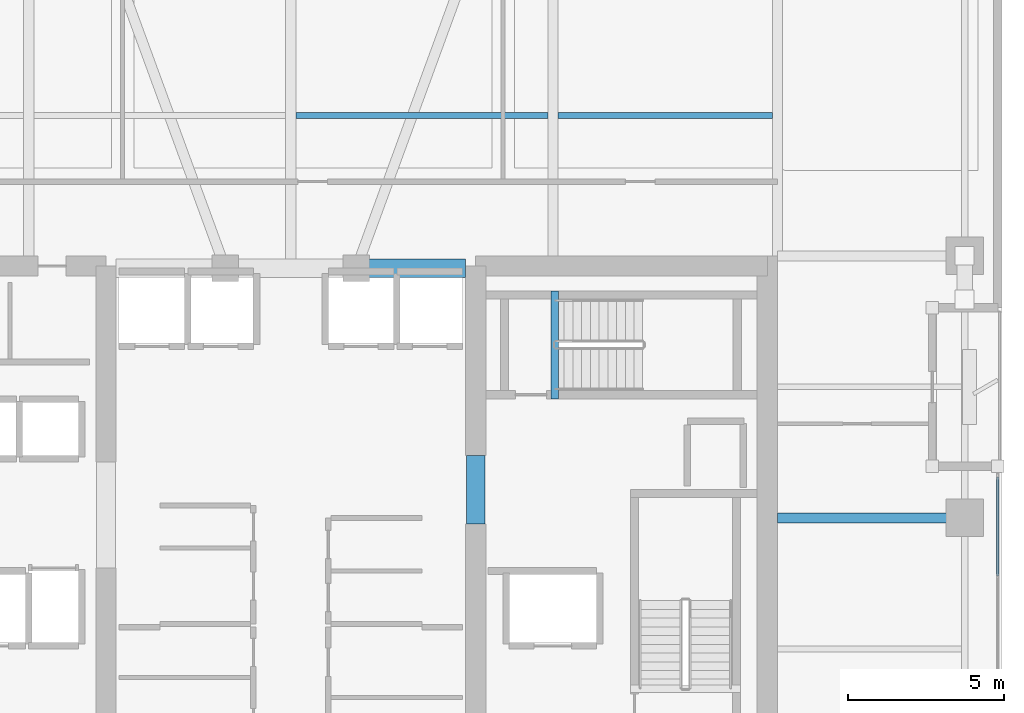
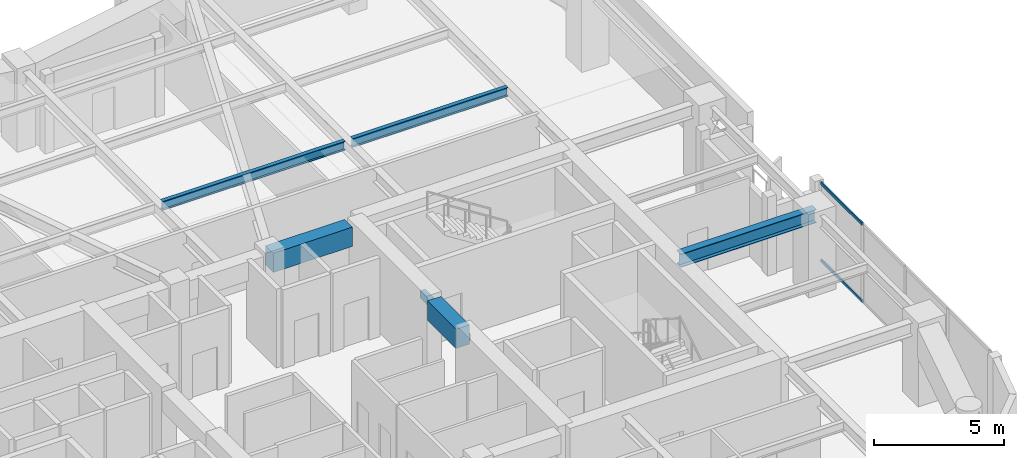
# One storey, part 6 of 26: 6 beams, 2 members, 1 element without a shape of its own.
"""IFC4 building model written with IfcOpenShell, lengths in metres."""

from ifc_helpers import new_model, si_unit, direction, frame, origin, origin_2d, place, context, subcontext, project, spatial, rectangle, hollow_rectangle, i_section, extrude, material, layer, layer_set, material_profile, profile_set, type_object, element, aggregate, save


model = new_model("IFC4")

# Units and contexts
model_context = context("Model", 3, precision=1e-05, world=origin(), true_north=direction((0.0, 1.0)))
body_context = subcontext(model_context, "Body", "Model", "MODEL_VIEW")
ifc_project = project(units=[si_unit("LENGTHUNIT", "METRE"), si_unit("AREAUNIT", "SQUARE_METRE"), si_unit("VOLUMEUNIT", "CUBIC_METRE"), si_unit("PLANEANGLEUNIT", "RADIAN"), si_unit("MASSUNIT", "GRAM", prefix="KILO")], contexts=[model_context])

# Site, building, storey
site_placement = place(None, origin())
site = spatial("IfcSite", under=ifc_project, at=site_placement, CompositionType="ELEMENT")
building_placement = place(site_placement, origin())
building = spatial("IfcBuilding", under=site, at=building_placement, Name="Kiyonajd Concourse Tower", CompositionType="ELEMENT")
storey_placement = place(building_placement, frame((0.0, 0.0, 186.300048828125)))
storey = spatial("IfcBuildingStorey", under=building, at=storey_placement, Name="L47", CompositionType="ELEMENT", Elevation=186.300048828125)

# Beams
ifc_material_1 = material(Name="Concrete C60/75", Category="concrete")
ifc_material_profile_1 = material_profile(ifc_material_1, rectangle(XDim=0.60009765625, YDim=0.89990234375, at=origin_2d()), Name="RCBM-600x900")
ifc_profile_set_1 = profile_set([ifc_material_profile_1], Name="Concrete C60/75")
beam_type_1 = type_object("IfcBeamType", Name="BM-COUP-900", PredefinedType="LINTEL", material=ifc_profile_set_1)
beam_1_placement = place(storey_placement, frame((50.10009765625, 44.0, 3.22998046875), z_axis=(1.0, 0.0, 0.0), x_axis=(0.0, 1.0, 0.0)))
element("IfcBeam", 1, at=beam_1_placement, inside=storey, type_object=beam_type_1, Name="L47 Core Coupling Beam N3", PredefinedType="LINTEL", context=body_context, shape_type="SweptSolid", body=[
    extrude(rectangle(XDim=0.60009765625, YDim=0.89990234375, at=origin_2d()), origin(), (0.0, 0.0, 1.0), 3.5),
])
beam_2_placement = place(storey_placement, frame((53.925048828125, 35.800048828125, 3.22998046875), z_axis=(0.0, 1.0, 0.0), x_axis=(-1.0, 0.0, 0.0)))
element("IfcBeam", 2, at=beam_2_placement, inside=storey, type_object=beam_type_1, Name="L47 East Core Throat Coupling Lintel", PredefinedType="LINTEL", context=body_context, shape_type="SweptSolid", body=[
    extrude(rectangle(XDim=0.60009765625, YDim=0.89990234375, at=origin_2d()), origin(), (0.0, 0.0, 1.0), 2.199951171875),
])
ifc_material_2 = material(Name="Steel ASTM A992 Grade 50", Category="steel")
ifc_material_profile_2 = material_profile(ifc_material_2, i_section(OverallWidth=0.180908203125, OverallDepth=0.4169921875, WebThickness=0.010986328125, FlangeThickness=0.018310546875, at=origin_2d()), Name="W410X85")
ifc_profile_set_2 = profile_set([ifc_material_profile_2], Name="Steel ASTM A992 Grade 50")
beam_type_2 = type_object("IfcBeamType", Name="BM-JST-410", PredefinedType="JOIST", material=ifc_profile_set_2)
beam_3_placement = place(storey_placement, frame((48.16357421875, 48.89990234375, 3.471435546875), z_axis=(1.0, 0.0, 0.0), x_axis=(0.0, 1.0, 0.0)))
element("IfcBeam", 3, at=beam_3_placement, inside=storey, type_object=beam_type_2, Name="L47 Secondary Floor Joist", PredefinedType="JOIST", context=body_context, shape_type="SweptSolid", body=[
    extrude(i_section(OverallWidth=0.180908203125, OverallDepth=0.4169921875, WebThickness=0.010986328125, FlangeThickness=0.018310546875, at=origin_2d()), origin(), (0.0, 0.0, 1.0), 8.072998046875),
])
beam_4_placement = place(storey_placement, frame((56.5634765625, 48.89990234375, 3.471435546875), z_axis=(1.0, 0.0, 0.0), x_axis=(0.0, 1.0, 0.0)))
element("IfcBeam", 4, at=beam_4_placement, inside=storey, type_object=beam_type_2, Name="L47 Secondary Floor Joist", PredefinedType="JOIST", context=body_context, shape_type="SweptSolid", body=[
    extrude(i_section(OverallWidth=0.180908203125, OverallDepth=0.4169921875, WebThickness=0.010986328125, FlangeThickness=0.018310546875, at=origin_2d()), origin(), (0.0, 0.0, 1.0), 6.873046875),
])
ifc_material_3 = material(Name="Concrete C50/60", Category="concrete")
ifc_material_profile_3 = material_profile(ifc_material_3, rectangle(XDim=0.239990234375, YDim=0.320068359375, at=origin_2d()), Name="RCBM-240x320")
ifc_profile_set_3 = profile_set([ifc_material_profile_3], Name="Concrete C50/60")
beam_type_3 = type_object("IfcBeamType", Name="BM-LNT-250", PredefinedType="LINTEL", material=ifc_profile_set_3)
beam_5_placement = place(storey_placement, frame((56.4599609375, 39.820068359375, -0.16015625), z_axis=(0.0, 1.0, 0.0), x_axis=(-1.0, 0.0, 0.0)))
element("IfcBeam", 5, at=beam_5_placement, inside=storey, type_object=beam_type_3, Name="L47 Stair ST3 Threshold Support Beam", PredefinedType="LINTEL", context=body_context, shape_type="SweptSolid", body=[
    extrude(rectangle(XDim=0.239990234375, YDim=0.320068359375, at=origin_2d()), origin(), (0.0, 0.0, 1.0), 3.4599609375),
])
ifc_material_profile_4 = material_profile(ifc_material_2, i_section(OverallWidth=0.326904296875, OverallDepth=0.6220703125, WebThickness=0.015380859375, FlangeThickness=0.0244140625, at=origin_2d()), Name="W610X195")
ifc_profile_set_4 = profile_set([ifc_material_profile_4], Name="Steel ASTM A992 Grade 50")
beam_type_4 = type_object("IfcBeamType", Name="BM-TWR-610A", PredefinedType="BEAM", material=ifc_profile_set_4)
beam_6_placement = place(storey_placement, frame((63.60009765625, 36.0, 3.368896484375), z_axis=(1.0, 0.0, 0.0), x_axis=(0.0, 1.0, 0.0)))
element("IfcBeam", 6, at=beam_6_placement, inside=storey, type_object=beam_type_4, Name="L47 East Lease Girder", PredefinedType="BEAM", context=body_context, shape_type="SweptSolid", body=[
    extrude(i_section(OverallWidth=0.326904296875, OverallDepth=0.6220703125, WebThickness=0.015380859375, FlangeThickness=0.0244140625, at=origin_2d()), origin(), (0.0, 0.0, 1.0), 6.0),
])

# Curtain wall, members
ifc_material_4 = material(Name="Thermally Broken Anodised Aluminium", Category="aluminium")
ifc_layer = layer(ifc_material_4, 0.179931640625)
ifc_layer_set = layer_set([ifc_layer], Name="Thermally Broken Anodised Aluminium")
curtain_wall_type = type_object("IfcCurtainWallType", Name="CW-SYS-03", PredefinedType="NOTDEFINED", material=ifc_layer_set)
curtain_wall_placement = place(storey_placement, origin())
curtain_wall = element("IfcCurtainWall", 7, at=curtain_wall_placement, inside=storey, type_object=curtain_wall_type, Name="L47 Unitised Curtain Wall CW3", PredefinedType="NOTDEFINED")
ifc_material_profile_5 = material_profile(ifc_material_4, hollow_rectangle(XDim=0.06494140625, YDim=0.139892578125, WallThickness=0.00390625, at=origin_2d()), Name="TRAN-65x140")
ifc_profile_set_5 = profile_set([ifc_material_profile_5], Name="Thermally Broken Anodised Aluminium")
member_type = type_object("IfcMemberType", Name="MB-CW-TRAN1", PredefinedType="USERDEFINED", material=ifc_profile_set_5)
member_1_placement = place(storey_placement, frame((70.659912109375, 37.304931640625, 0.032470703125), z_axis=(0.0, -1.0, 0.0), x_axis=(1.0, 0.0, 0.0)))
member_1 = element("IfcMember", 8, at=member_1_placement, type_object=member_type, Name="CW3 transom 1.1", ObjectType="TRANSOM", PredefinedType="USERDEFINED", context=body_context, shape_type="SweptSolid", body=[
    extrude(hollow_rectangle(XDim=0.06494140625, YDim=0.139892578125, WallThickness=0.00390625, at=origin_2d()), origin(), (0.0, 0.0, 1.0), 3.167724609375),
])
member_2_placement = place(storey_placement, frame((70.659912109375, 37.304931640625, 3.6474609375), z_axis=(0.0, -1.0, 0.0), x_axis=(1.0, 0.0, 0.0)))
member_2 = element("IfcMember", 9, at=member_2_placement, type_object=member_type, Name="CW3 transom 1.2", ObjectType="TRANSOM", PredefinedType="USERDEFINED", context=body_context, shape_type="SweptSolid", body=[
    extrude(hollow_rectangle(XDim=0.06494140625, YDim=0.139892578125, WallThickness=0.00390625, at=origin_2d()), origin(), (0.0, 0.0, 1.0), 3.167724609375),
])
aggregate(curtain_wall, [member_1, member_2])

save(model, "model.ifc")
